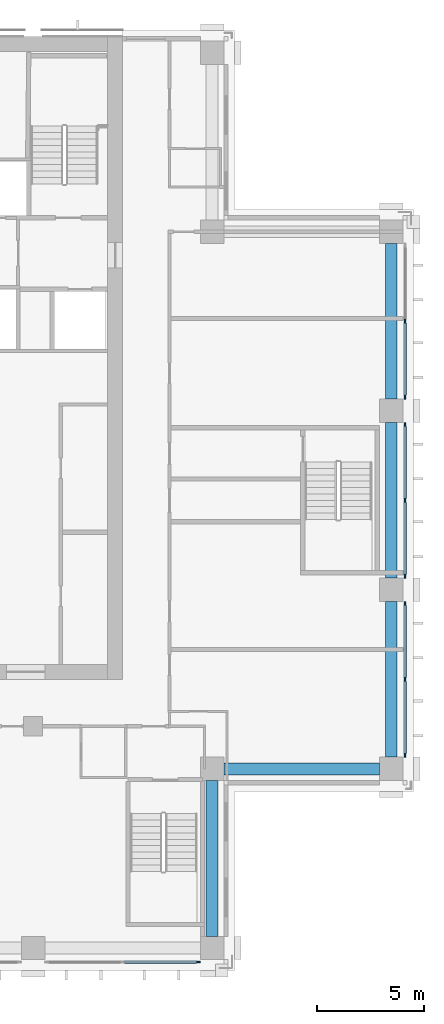
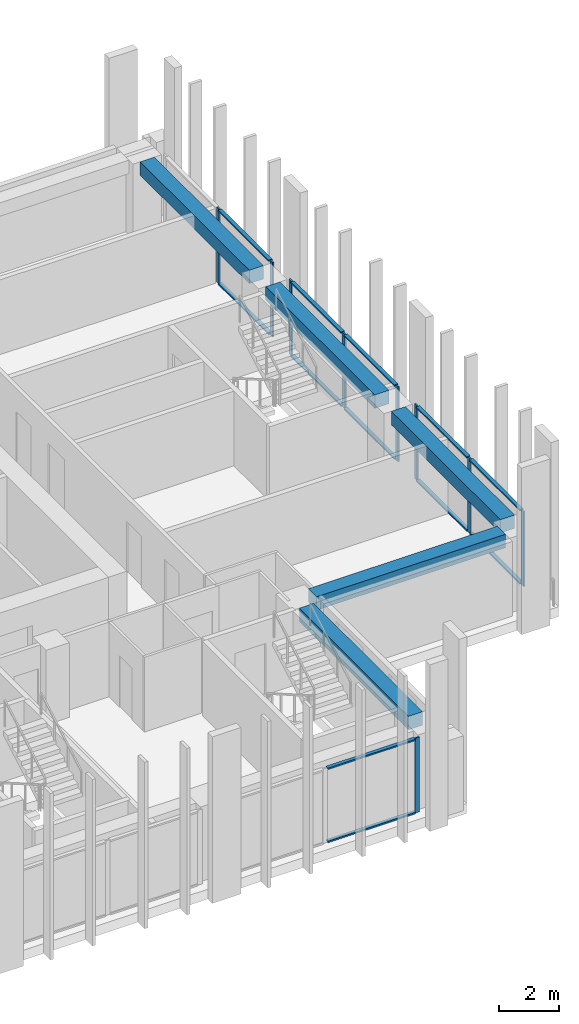
# One storey, part 5 of 16: 21 members, 5 beams, 4 elements without a shape of their own.
"""IFC4 building model written with IfcOpenShell, lengths in metres."""

from ifc_helpers import new_model, si_unit, direction, frame, origin, origin_2d, place, context, subcontext, project, spatial, rectangle, extrude, material, material_profile, profile_set, type_object, element, aggregate, save


model = new_model("IFC4")

# Units and contexts
model_context = context("Model", 3, precision=1e-05, world=origin(), true_north=direction((0.0, 1.0)))
body_context = subcontext(model_context, "Body", "Model", "MODEL_VIEW")
ifc_project = project(units=[si_unit("LENGTHUNIT", "METRE"), si_unit("AREAUNIT", "SQUARE_METRE"), si_unit("VOLUMEUNIT", "CUBIC_METRE"), si_unit("PLANEANGLEUNIT", "RADIAN"), si_unit("MASSUNIT", "GRAM", prefix="KILO")], contexts=[model_context])

# Site, building, storey
site_placement = place(None, origin())
site = spatial("IfcSite", under=ifc_project, at=site_placement, CompositionType="ELEMENT")
building_placement = place(site_placement, origin())
building = spatial("IfcBuilding", under=site, at=building_placement, Name="Vermilion Ogive Tower", CompositionType="ELEMENT")
storey_placement = place(building_placement, frame((0.0, 0.0, 164.14990234375)))
storey = spatial("IfcBuildingStorey", under=building, at=storey_placement, Name="L42", CompositionType="ELEMENT", Elevation=164.14990234375)

# Curtain wall, member
ifc_material_1 = material(Name="Low-iron laminated glazing in aluminium frame", Category="aluminium")
curtain_wall_type = type_object("IfcCurtainWallType", Name="Curtain wall CW7", PredefinedType="NOTDEFINED", material=ifc_material_1)
curtain_wall_1_placement = place(storey_placement, origin())
curtain_wall_1 = element("IfcCurtainWall", 1, at=curtain_wall_1_placement, inside=storey, type_object=curtain_wall_type, Name="Glazed skin S3", PredefinedType="NOTDEFINED")
ifc_material_2 = material(Name="Aluminium mullion", Category="aluminium")
ifc_material_profile_1 = material_profile(ifc_material_2, rectangle(XDim=0.06005859375, YDim=0.179931640625, at=origin_2d()), Name="AL 60x180")
ifc_profile_set_1 = profile_set([ifc_material_profile_1], Name="Aluminium mullion")
member_type_1 = type_object("IfcMemberType", Name="CW7 mullion 60x180", PredefinedType="MULLION", material=ifc_profile_set_1)
member_1_placement = place(storey_placement, frame((11.9599609375, -21.64990234375, 0.0), z_axis=(0.0, 0.0, 1.0), x_axis=(0.0, 1.0, 0.0)))
member_1 = element("IfcMember", 2, at=member_1_placement, type_object=member_type_1, Name="CW7-S3 mullion 3", PredefinedType="MULLION", context=body_context, shape_type="SweptSolid", body=[
    extrude(rectangle(XDim=0.06005859375, YDim=0.179931640625, at=origin_2d()), origin(), (0.0, 0.0, 1.0), 3.050048828125),
])

# Curtain wall, members
curtain_wall_2_placement = place(storey_placement, origin())
curtain_wall_2 = element("IfcCurtainWall", 3, at=curtain_wall_2_placement, inside=storey, type_object=curtain_wall_type, Name="Glazed skin E1", PredefinedType="NOTDEFINED")
member_2_placement = place(storey_placement, frame((21.64990234375, -11.9599609375, 0.0), z_axis=(0.0, 0.0, 1.0), x_axis=(-1.0, 0.0, 0.0)))
member_2 = element("IfcMember", 4, at=member_2_placement, type_object=member_type_1, Name="CW7-E1 mullion 1", PredefinedType="MULLION", context=body_context, shape_type="SweptSolid", body=[
    extrude(rectangle(XDim=0.06005859375, YDim=0.179931640625, at=origin_2d()), origin(), (0.0, 0.0, 1.0), 3.050048828125),
])
member_3_placement = place(storey_placement, frame((21.64990234375, -8.39990234375, 0.0), z_axis=(0.0, 0.0, 1.0), x_axis=(-1.0, 0.0, 0.0)))
member_3 = element("IfcMember", 5, at=member_3_placement, type_object=member_type_1, Name="CW7-E1 mullion 2", PredefinedType="MULLION", context=body_context, shape_type="SweptSolid", body=[
    extrude(rectangle(XDim=0.06005859375, YDim=0.179931640625, at=origin_2d()), origin(), (0.0, 0.0, 1.0), 3.050048828125),
])
member_4_placement = place(storey_placement, frame((21.64990234375, -4.840087890625, 0.0), z_axis=(0.0, 0.0, 1.0), x_axis=(-1.0, 0.0, 0.0)))
member_4 = element("IfcMember", 6, at=member_4_placement, type_object=member_type_1, Name="CW7-E1 mullion 3", PredefinedType="MULLION", context=body_context, shape_type="SweptSolid", body=[
    extrude(rectangle(XDim=0.06005859375, YDim=0.179931640625, at=origin_2d()), origin(), (0.0, 0.0, 1.0), 3.050048828125),
])

curtain_wall_3_placement = place(storey_placement, origin())
curtain_wall_3 = element("IfcCurtainWall", 7, at=curtain_wall_3_placement, inside=storey, type_object=curtain_wall_type, Name="Glazed skin E2", PredefinedType="NOTDEFINED")
member_5_placement = place(storey_placement, frame((21.64990234375, -3.56005859375, 0.0), z_axis=(0.0, 0.0, 1.0), x_axis=(-1.0, 0.0, 0.0)))
member_5 = element("IfcMember", 8, at=member_5_placement, type_object=member_type_1, Name="CW7-E2 mullion 1", PredefinedType="MULLION", context=body_context, shape_type="SweptSolid", body=[
    extrude(rectangle(XDim=0.06005859375, YDim=0.179931640625, at=origin_2d()), origin(), (0.0, 0.0, 1.0), 3.050048828125),
])
member_6_placement = place(storey_placement, frame((21.64990234375, 0.0, 0.0), z_axis=(0.0, 0.0, 1.0), x_axis=(-1.0, 0.0, 0.0)))
member_6 = element("IfcMember", 9, at=member_6_placement, type_object=member_type_1, Name="CW7-E2 mullion 2", PredefinedType="MULLION", context=body_context, shape_type="SweptSolid", body=[
    extrude(rectangle(XDim=0.06005859375, YDim=0.179931640625, at=origin_2d()), origin(), (0.0, 0.0, 1.0), 3.050048828125),
])
member_7_placement = place(storey_placement, frame((21.64990234375, 3.56005859375, 0.0), z_axis=(0.0, 0.0, 1.0), x_axis=(-1.0, 0.0, 0.0)))
member_7 = element("IfcMember", 10, at=member_7_placement, type_object=member_type_1, Name="CW7-E2 mullion 3", PredefinedType="MULLION", context=body_context, shape_type="SweptSolid", body=[
    extrude(rectangle(XDim=0.06005859375, YDim=0.179931640625, at=origin_2d()), origin(), (0.0, 0.0, 1.0), 3.050048828125),
])

curtain_wall_4_placement = place(storey_placement, origin())
curtain_wall_4 = element("IfcCurtainWall", 11, at=curtain_wall_4_placement, inside=storey, type_object=curtain_wall_type, Name="Glazed skin E3", PredefinedType="NOTDEFINED")
member_8_placement = place(storey_placement, frame((21.64990234375, 4.840087890625, 0.0), z_axis=(0.0, 0.0, 1.0), x_axis=(-1.0, 0.0, 0.0)))
member_8 = element("IfcMember", 12, at=member_8_placement, type_object=member_type_1, Name="CW7-E3 mullion 1", PredefinedType="MULLION", context=body_context, shape_type="SweptSolid", body=[
    extrude(rectangle(XDim=0.06005859375, YDim=0.179931640625, at=origin_2d()), origin(), (0.0, 0.0, 1.0), 3.050048828125),
])
member_9_placement = place(storey_placement, frame((21.64990234375, 8.39990234375, 0.0), z_axis=(0.0, 0.0, 1.0), x_axis=(-1.0, 0.0, 0.0)))
member_9 = element("IfcMember", 13, at=member_9_placement, type_object=member_type_1, Name="CW7-E3 mullion 2", PredefinedType="MULLION", context=body_context, shape_type="SweptSolid", body=[
    extrude(rectangle(XDim=0.06005859375, YDim=0.179931640625, at=origin_2d()), origin(), (0.0, 0.0, 1.0), 3.050048828125),
])

# Member
ifc_material_3 = material(Name="Aluminium transom", Category="aluminium")
ifc_material_profile_2 = material_profile(ifc_material_3, rectangle(XDim=0.139892578125, YDim=0.06005859375, at=origin_2d()), Name="AL 60x140")
ifc_profile_set_2 = profile_set([ifc_material_profile_2], Name="Aluminium transom")
member_type_2 = type_object("IfcMemberType", Name="CW7 transom 60x140", PredefinedType="USERDEFINED", material=ifc_profile_set_2)
member_10_placement = place(storey_placement, frame((8.489990234375, -21.64990234375, 0.030029296875), z_axis=(1.0, 0.0, 0.0), x_axis=(0.0, 1.0, 0.0)))
member_10 = element("IfcMember", 14, at=member_10_placement, type_object=member_type_2, Name="CW7-S3 transom 2.1", ObjectType="TRANSOM", PredefinedType="USERDEFINED", context=body_context, shape_type="SweptSolid", body=[
    extrude(rectangle(XDim=0.139892578125, YDim=0.06005859375, at=origin_2d()), origin(), (0.0, 0.0, 1.0), 3.380126953125),
])

member_11_placement = place(storey_placement, frame((8.489990234375, -21.64990234375, 3.02001953125), z_axis=(1.0, 0.0, 0.0), x_axis=(0.0, 1.0, 0.0)))
member_11 = element("IfcMember", 15, at=member_11_placement, type_object=member_type_2, Name="CW7-S3 transom 2.2", ObjectType="TRANSOM", PredefinedType="USERDEFINED", context=body_context, shape_type="SweptSolid", body=[
    extrude(rectangle(XDim=0.139892578125, YDim=0.06005859375, at=origin_2d()), origin(), (0.0, 0.0, 1.0), 3.380126953125),
])

aggregate(curtain_wall_1, [member_1, member_10, member_11])

member_12_placement = place(storey_placement, frame((21.64990234375, -11.8701171875, 0.030029296875), z_axis=(0.0, 1.0, 0.0), x_axis=(-1.0, 0.0, 0.0)))
member_12 = element("IfcMember", 16, at=member_12_placement, type_object=member_type_2, Name="CW7-E1 transom 1.1", ObjectType="TRANSOM", PredefinedType="USERDEFINED", context=body_context, shape_type="SweptSolid", body=[
    extrude(rectangle(XDim=0.139892578125, YDim=0.06005859375, at=origin_2d()), origin(), (0.0, 0.0, 1.0), 3.380126953125),
])

member_13_placement = place(storey_placement, frame((21.64990234375, -11.8701171875, 3.02001953125), z_axis=(0.0, 1.0, 0.0), x_axis=(-1.0, 0.0, 0.0)))
member_13 = element("IfcMember", 17, at=member_13_placement, type_object=member_type_2, Name="CW7-E1 transom 1.2", ObjectType="TRANSOM", PredefinedType="USERDEFINED", context=body_context, shape_type="SweptSolid", body=[
    extrude(rectangle(XDim=0.139892578125, YDim=0.06005859375, at=origin_2d()), origin(), (0.0, 0.0, 1.0), 3.380126953125),
])

member_14_placement = place(storey_placement, frame((21.64990234375, -8.31005859375, 0.030029296875), z_axis=(0.0, 1.0, 0.0), x_axis=(-1.0, 0.0, 0.0)))
member_14 = element("IfcMember", 18, at=member_14_placement, type_object=member_type_2, Name="CW7-E1 transom 2.1", ObjectType="TRANSOM", PredefinedType="USERDEFINED", context=body_context, shape_type="SweptSolid", body=[
    extrude(rectangle(XDim=0.139892578125, YDim=0.06005859375, at=origin_2d()), origin(), (0.0, 0.0, 1.0), 3.380126953125),
])

member_15_placement = place(storey_placement, frame((21.64990234375, -8.31005859375, 3.02001953125), z_axis=(0.0, 1.0, 0.0), x_axis=(-1.0, 0.0, 0.0)))
member_15 = element("IfcMember", 19, at=member_15_placement, type_object=member_type_2, Name="CW7-E1 transom 2.2", ObjectType="TRANSOM", PredefinedType="USERDEFINED", context=body_context, shape_type="SweptSolid", body=[
    extrude(rectangle(XDim=0.139892578125, YDim=0.06005859375, at=origin_2d()), origin(), (0.0, 0.0, 1.0), 3.380126953125),
])

aggregate(curtain_wall_2, [member_2, member_3, member_4, member_12, member_13, member_14, member_15])

member_16_placement = place(storey_placement, frame((21.64990234375, -3.469970703125, 0.030029296875), z_axis=(0.0, 1.0, 0.0), x_axis=(-1.0, 0.0, 0.0)))
member_16 = element("IfcMember", 20, at=member_16_placement, type_object=member_type_2, Name="CW7-E2 transom 1.1", ObjectType="TRANSOM", PredefinedType="USERDEFINED", context=body_context, shape_type="SweptSolid", body=[
    extrude(rectangle(XDim=0.139892578125, YDim=0.06005859375, at=origin_2d()), origin(), (0.0, 0.0, 1.0), 3.3798828125),
])

member_17_placement = place(storey_placement, frame((21.64990234375, -3.469970703125, 3.02001953125), z_axis=(0.0, 1.0, 0.0), x_axis=(-1.0, 0.0, 0.0)))
member_17 = element("IfcMember", 21, at=member_17_placement, type_object=member_type_2, Name="CW7-E2 transom 1.2", ObjectType="TRANSOM", PredefinedType="USERDEFINED", context=body_context, shape_type="SweptSolid", body=[
    extrude(rectangle(XDim=0.139892578125, YDim=0.06005859375, at=origin_2d()), origin(), (0.0, 0.0, 1.0), 3.3798828125),
])

member_18_placement = place(storey_placement, frame((21.64990234375, 0.090087890625, 0.030029296875), z_axis=(0.0, 1.0, 0.0), x_axis=(-1.0, 0.0, 0.0)))
member_18 = element("IfcMember", 22, at=member_18_placement, type_object=member_type_2, Name="CW7-E2 transom 2.1", ObjectType="TRANSOM", PredefinedType="USERDEFINED", context=body_context, shape_type="SweptSolid", body=[
    extrude(rectangle(XDim=0.139892578125, YDim=0.06005859375, at=origin_2d()), origin(), (0.0, 0.0, 1.0), 3.3798828125),
])

member_19_placement = place(storey_placement, frame((21.64990234375, 0.090087890625, 3.02001953125), z_axis=(0.0, 1.0, 0.0), x_axis=(-1.0, 0.0, 0.0)))
member_19 = element("IfcMember", 23, at=member_19_placement, type_object=member_type_2, Name="CW7-E2 transom 2.2", ObjectType="TRANSOM", PredefinedType="USERDEFINED", context=body_context, shape_type="SweptSolid", body=[
    extrude(rectangle(XDim=0.139892578125, YDim=0.06005859375, at=origin_2d()), origin(), (0.0, 0.0, 1.0), 3.3798828125),
])

aggregate(curtain_wall_3, [member_5, member_6, member_7, member_16, member_17, member_18, member_19])

member_20_placement = place(storey_placement, frame((21.64990234375, 4.929931640625, 0.030029296875), z_axis=(0.0, 1.0, 0.0), x_axis=(-1.0, 0.0, 0.0)))
member_20 = element("IfcMember", 24, at=member_20_placement, type_object=member_type_2, Name="CW7-E3 transom 1.1", ObjectType="TRANSOM", PredefinedType="USERDEFINED", context=body_context, shape_type="SweptSolid", body=[
    extrude(rectangle(XDim=0.139892578125, YDim=0.06005859375, at=origin_2d()), origin(), (0.0, 0.0, 1.0), 3.380126953125),
])

member_21_placement = place(storey_placement, frame((21.64990234375, 4.929931640625, 3.02001953125), z_axis=(0.0, 1.0, 0.0), x_axis=(-1.0, 0.0, 0.0)))
member_21 = element("IfcMember", 25, at=member_21_placement, type_object=member_type_2, Name="CW7-E3 transom 1.2", ObjectType="TRANSOM", PredefinedType="USERDEFINED", context=body_context, shape_type="SweptSolid", body=[
    extrude(rectangle(XDim=0.139892578125, YDim=0.06005859375, at=origin_2d()), origin(), (0.0, 0.0, 1.0), 3.380126953125),
])

aggregate(curtain_wall_4, [member_8, member_9, member_20, member_21])

# Beams
ifc_material_4 = material(Name="Concrete B45", Category="concrete")
ifc_material_profile_3 = material_profile(ifc_material_4, rectangle(XDim=0.550048828125, YDim=0.550048828125, at=origin_2d()), Name="550 x 550")
ifc_profile_set_3 = profile_set([ifc_material_profile_3], Name="Concrete B45")
beam_type = type_object("IfcBeamType", Name="Edge beam 550 x 550 B45", PredefinedType="BEAM", material=ifc_profile_set_3)
for number, where, z_axis, x_axis, name in (
    (26, (12.60009765625, -20.449951171875, 2.775146484375), (0.0, 1.0, 0.0), (-1.0, 0.0, 0.0), "L42-EB-4"),
    (27, (13.14990234375, -12.60009765625, 2.775146484375), (1.0, 0.0, 0.0), (0.0, 1.0, 0.0), "L42-EB-5"),
    (28, (21.0, -12.050048828125, 2.775146484375), (0.0, 1.0, 0.0), (-1.0, 0.0, 0.0), "L42-EB-6"),
):
    element("IfcBeam", number, at=place(storey_placement, frame(where, z_axis=z_axis, x_axis=x_axis)), inside=storey, type_object=beam_type, Name=name, PredefinedType="BEAM", context=body_context, shape_type="SweptSolid", body=[
        extrude(rectangle(XDim=0.550048828125, YDim=0.550048828125, at=origin_2d()), origin(), (0.0, 0.0, 1.0), 7.300048828125),
    ])
beam_1_placement = place(storey_placement, frame((21.0, -3.64990234375, 2.775146484375), z_axis=(0.0, 1.0, 0.0), x_axis=(-1.0, 0.0, 0.0)))
element("IfcBeam", 29, at=beam_1_placement, inside=storey, type_object=beam_type, Name="L42-EB-7", PredefinedType="BEAM", context=body_context, shape_type="SweptSolid", body=[
    extrude(rectangle(XDim=0.550048828125, YDim=0.550048828125, at=origin_2d()), origin(), (0.0, 0.0, 1.0), 7.2998046875),
])
beam_2_placement = place(storey_placement, frame((21.0, 4.75, 2.775146484375), z_axis=(0.0, 1.0, 0.0), x_axis=(-1.0, 0.0, 0.0)))
element("IfcBeam", 30, at=beam_2_placement, inside=storey, type_object=beam_type, Name="L42-EB-8", PredefinedType="BEAM", context=body_context, shape_type="SweptSolid", body=[
    extrude(rectangle(XDim=0.550048828125, YDim=0.550048828125, at=origin_2d()), origin(), (0.0, 0.0, 1.0), 7.300048828125),
])

save(model, "model.ifc")
